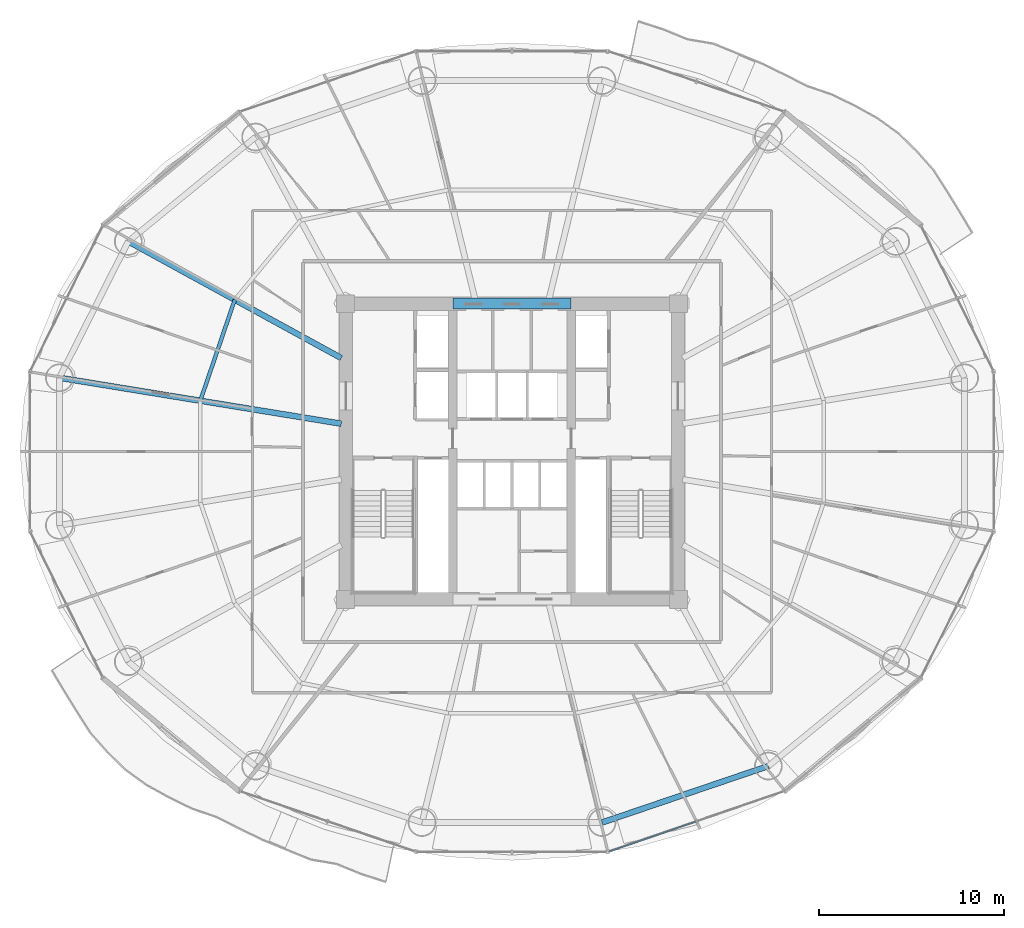
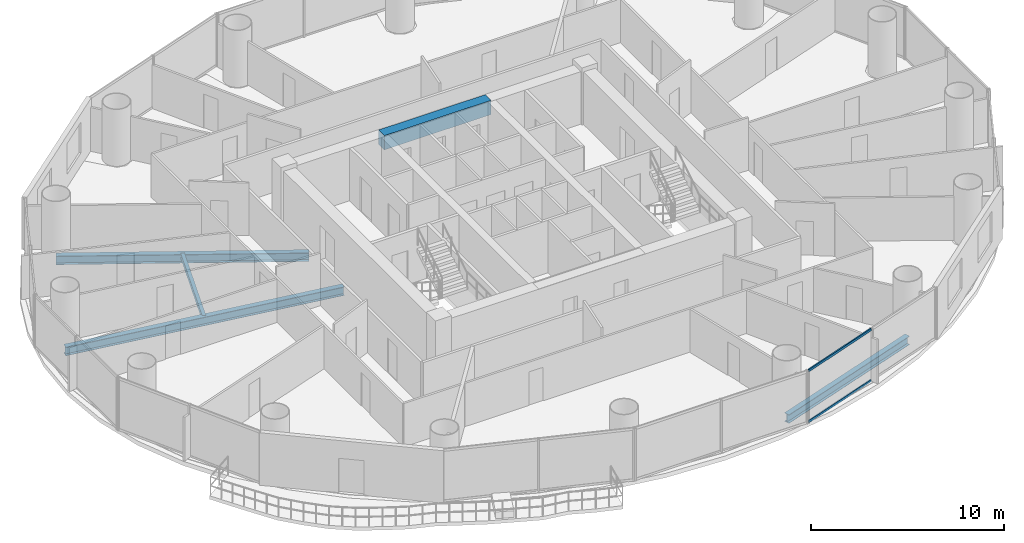
# One storey, part 10 of 29: 5 beams, 2 members, 1 element without a shape of its own.
"""IFC4 building model written with IfcOpenShell, lengths in metres."""

from ifc_helpers import new_model, si_unit, direction, frame, origin, origin_2d, place, context, subcontext, project, spatial, rectangle, hollow_rectangle, i_section, extrude, source, transform, mapped, material, material_profile, profile_set, type_object, element, aggregate, save


model = new_model("IFC4")

# Units and contexts
model_context = context("Model", 3, precision=1e-05, world=origin(), true_north=direction((-0.2419218956, 0.970295726276)))
body_context = subcontext(model_context, "Body", "Model", "MODEL_VIEW")
ifc_project = project(units=[si_unit("LENGTHUNIT", "METRE"), si_unit("AREAUNIT", "SQUARE_METRE"), si_unit("VOLUMEUNIT", "CUBIC_METRE"), si_unit("PLANEANGLEUNIT", "RADIAN"), si_unit("MASSUNIT", "GRAM", prefix="KILO")], contexts=[model_context])

# Site, building, storey
site_placement = place(None, origin())
site = spatial("IfcSite", under=ifc_project, at=site_placement, CompositionType="ELEMENT")
building_placement = place(site_placement, origin())
building = spatial("IfcBuilding", under=site, at=building_placement, Name="Cobrevalo Terracotta Tower", CompositionType="ELEMENT")
storey_placement = place(building_placement, frame((0.0, 0.0, 115.800048828125)))
storey = spatial("IfcBuildingStorey", under=building, at=storey_placement, Name="L30", CompositionType="ELEMENT", Elevation=115.800048828125)

# Beams
ifc_material_1 = material(Name="Concrete C60", Category="concrete")
ifc_material_profile_1 = material_profile(ifc_material_1, rectangle(XDim=0.60009765625, YDim=0.89990234375, at=origin_2d()), Name="RC CB 600x900")
ifc_profile_set_1 = profile_set([ifc_material_profile_1], Name="Concrete C60")
beam_type_1 = type_object("IfcBeamType", Name="Structural Beam RC CB 600x900 (Concrete C60)", PredefinedType="BEAM", material=ifc_profile_set_1)
beam_1_placement = place(storey_placement, frame((34.800048828125, 34.800048828125, 2.875), z_axis=(1.0, 0.0, 0.0), x_axis=(0.0, 1.0, 0.0)))
element("IfcBeam", 1, at=beam_1_placement, inside=storey, type_object=beam_type_1, Name="L30 core coupling beam 2", PredefinedType="BEAM", context=body_context, shape_type="SweptSolid", body=[
    extrude(rectangle(XDim=0.60009765625, YDim=0.89990234375, at=origin_2d()), origin(), (0.0, 0.0, 1.0), 6.39990234375),
])
ifc_material_2 = material(Name="Steel S355", Category="steel")
ifc_material_profile_2 = material_profile(ifc_material_2, i_section(OverallWidth=0.31201171875, OverallDepth=0.54296875, WebThickness=0.0126953125, FlangeThickness=0.020263671875, at=origin_2d()), Name="W 530x150")
ifc_profile_set_2 = profile_set([ifc_material_profile_2], Name="Steel S355")
beam_type_2 = type_object("IfcBeamType", Name="Structural Beam W 530x150 (Steel S355)", PredefinedType="BEAM", material=ifc_profile_set_2)
beam_2_placement = place(storey_placement, frame((17.2548828125, 38.161376953125, -0.546630859375), z_axis=(0.877080599376, -0.480343233738, 0.0), x_axis=(0.480343233738, 0.877080599376, 0.0)))
element("IfcBeam", 2, at=beam_2_placement, inside=storey, type_object=beam_type_2, Name="L30 radial floor girder 07", PredefinedType="BEAM", context=body_context, shape_type="SweptSolid", body=[
    extrude(i_section(OverallWidth=0.31201171875, OverallDepth=0.54296875, WebThickness=0.0126953125, FlangeThickness=0.020263671875, at=origin_2d()), origin(), (0.0, 0.0, 1.0), 13.12890625),
])
beam_3_placement = place(storey_placement, frame((13.529296875, 30.78955078125, -0.546630859375), z_axis=(0.986970567439, -0.160900898101, 0.0), x_axis=(0.160900898101, 0.986970567439, 0.0)))
element("IfcBeam", 3, at=beam_3_placement, inside=storey, type_object=beam_type_2, Name="L30 radial floor girder 08", PredefinedType="BEAM", context=body_context, shape_type="SweptSolid", body=[
    extrude(i_section(OverallWidth=0.31201171875, OverallDepth=0.54296875, WebThickness=0.0126953125, FlangeThickness=0.020263671875, at=origin_2d()), origin(), (0.0, 0.0, 1.0), 15.44189453125),
])
ifc_material_profile_3 = material_profile(ifc_material_2, i_section(OverallWidth=0.2041015625, OverallDepth=0.305908203125, WebThickness=0.008544921875, FlangeThickness=0.0146484375, at=origin_2d()), Name="W 310x67")
ifc_profile_set_3 = profile_set([ifc_material_profile_3], Name="Steel S355")
beam_type_3 = type_object("IfcBeamType", Name="Structural Joist W 310x67 (Steel S355)", PredefinedType="JOIST", material=ifc_profile_set_3)
beam_4_placement = place(storey_placement, frame((23.012451171875, 35.00830078125, -0.427978515625), z_axis=(-0.322833299398, -0.94645584197, 0.0), x_axis=(0.94645584197, -0.322833299398, 0.0)))
element("IfcBeam", 4, at=beam_4_placement, inside=storey, type_object=beam_type_3, Name="L30 circumferential secondary floor joist 07", PredefinedType="JOIST", context=body_context, shape_type="SweptSolid", body=[
    extrude(i_section(OverallWidth=0.2041015625, OverallDepth=0.305908203125, WebThickness=0.008544921875, FlangeThickness=0.0146484375, at=origin_2d()), origin(), (0.0, 0.0, 1.0), 5.77001953125),
])
ifc_material_profile_4 = material_profile(ifc_material_2, i_section(OverallWidth=0.31201171875, OverallDepth=0.54296875, WebThickness=0.0126953125, FlangeThickness=0.020263671875, at=origin_2d()), Name="W 530x150")
ifc_profile_set_4 = profile_set([ifc_material_profile_4], Name="Steel S355")
beam_type_4 = type_object("IfcBeamType", Name="Structural Spandrel W 530x150 (Steel S355)", PredefinedType="SPANDREL", material=ifc_profile_set_4)
beam_5_placement = place(storey_placement, frame((42.867431640625, 6.742919921875, -0.546630859375), z_axis=(0.94691835344, 0.321474154356, 0.0), x_axis=(-0.321474154356, 0.94691835344, 0.0)))
element("IfcBeam", 5, at=beam_5_placement, inside=storey, type_object=beam_type_4, Name="L30 perimeter ring spandrel 13", PredefinedType="SPANDREL", context=body_context, shape_type="SweptSolid", body=[
    extrude(i_section(OverallWidth=0.31201171875, OverallDepth=0.54296875, WebThickness=0.0126953125, FlangeThickness=0.020263671875, at=origin_2d()), origin(), (0.0, 0.0, 1.0), 9.498291015625),
])

# Curtain wall, members
ifc_material_3 = material(Name="Anodized aluminium", Category="aluminium")
curtain_wall_type = type_object("IfcCurtainWallType", Name="Lower-tower unitised acoustic low-E curtain wall CW-U1", PredefinedType="NOTDEFINED", material=ifc_material_3)
curtain_wall_placement = place(storey_placement, origin())
curtain_wall = element("IfcCurtainWall", 6, at=curtain_wall_placement, inside=storey, type_object=curtain_wall_type, Name="L30 curtain wall CW-L30-S13", PredefinedType="NOTDEFINED")
ifc_material_profile_5 = material_profile(ifc_material_3, hollow_rectangle(XDim=0.074951171875, YDim=0.14990234375, WallThickness=0.00439453125, at=origin_2d()), Name="CWT 75x150")
ifc_profile_set_5 = profile_set([ifc_material_profile_5], Name="Anodized aluminium")
member_type = type_object("IfcMemberType", Name="Tower unitised aluminium transom 75x150", PredefinedType="USERDEFINED", material=ifc_profile_set_5)
shared_shape = source(origin(), body_context, "Body", "SweptSolid", [
    extrude(hollow_rectangle(XDim=0.074951171875, YDim=0.14990234375, WallThickness=0.00439453125, at=origin_2d()), origin(), (0.0, 0.0, 1.0), 4.944580078125),
])
member_1_placement = place(storey_placement, frame((43.25927734375, 5.18017578125, 0.050048828125), z_axis=(0.945597859971, 0.32533780478, 0.0), x_axis=(-0.32533780478, 0.945597859971, 0.0)))
member_1 = element("IfcMember", 7, at=member_1_placement, type_object=member_type, Name="CW-L30-S13 transom B01-T1", ObjectType="TRANSOM", PredefinedType="USERDEFINED", context=body_context, shape_type="MappedRepresentation", body=[
    mapped(shared_shape, transform((0.0, 0.0, 0.0), scale=1.0)),
])
member_2_placement = place(storey_placement, frame((43.25927734375, 5.18017578125, 3.27490234375), z_axis=(0.945597859971, 0.32533780478, 0.0), x_axis=(-0.32533780478, 0.945597859971, 0.0)))
member_2 = element("IfcMember", 8, at=member_2_placement, type_object=member_type, Name="CW-L30-S13 transom B01-T2", ObjectType="TRANSOM", PredefinedType="USERDEFINED", context=body_context, shape_type="MappedRepresentation", body=[
    mapped(shared_shape, transform((0.0, 0.0, 0.0), scale=1.0)),
])
aggregate(curtain_wall, [member_1, member_2])

save(model, "model.ifc")
